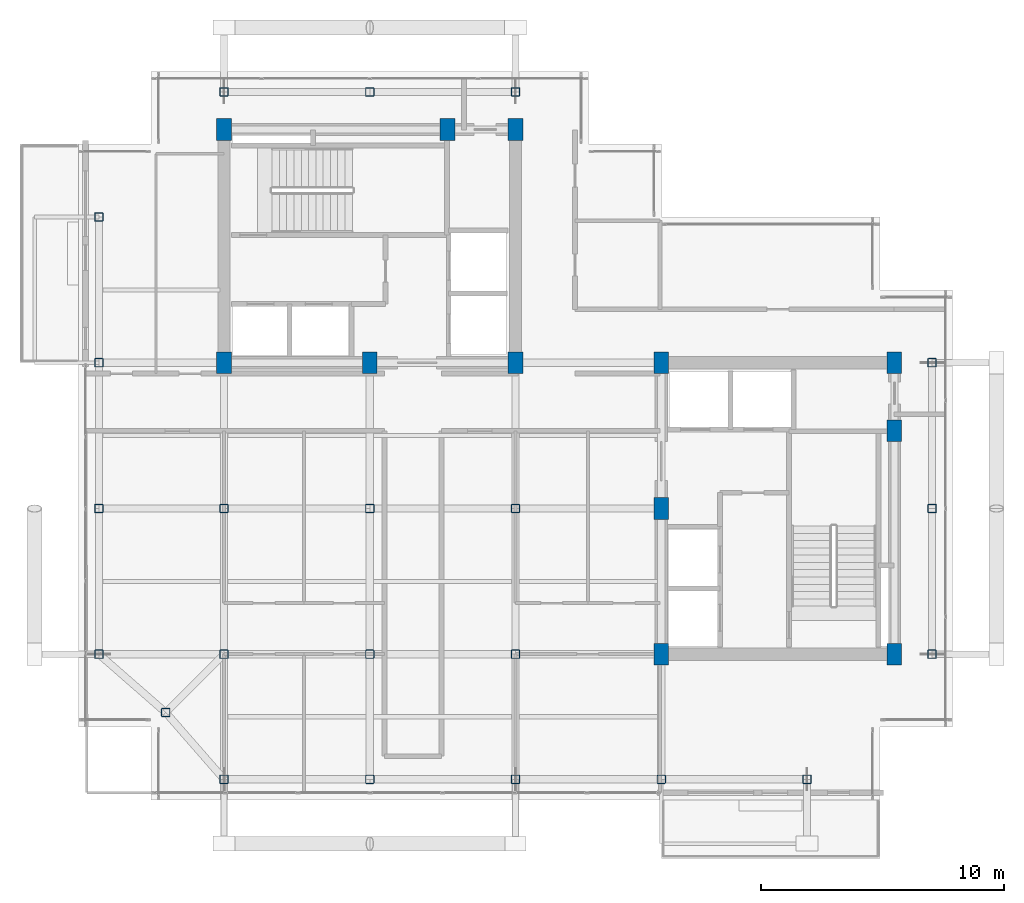
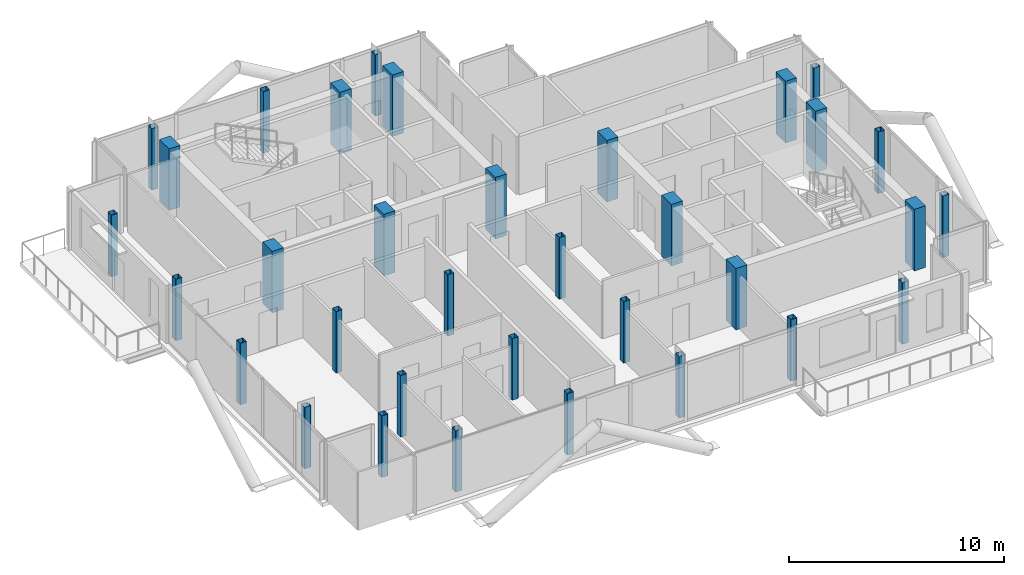
# One storey, part 1 of 19: 34 columns.
"""IFC4 building model written with IfcOpenShell, lengths in metres."""

from ifc_helpers import new_model, si_unit, direction, frame, origin, origin_2d, place, context, subcontext, project, spatial, rectangle, hollow_rectangle, extrude, material, material_profile, profile_set, type_object, element, save


model = new_model("IFC4")

# Units and contexts
model_context = context("Model", 3, precision=1e-05, world=origin(), true_north=direction((0.0, 1.0)))
body_context = subcontext(model_context, "Body", "Model", "MODEL_VIEW")
ifc_project = project(units=[si_unit("LENGTHUNIT", "METRE"), si_unit("AREAUNIT", "SQUARE_METRE"), si_unit("VOLUMEUNIT", "CUBIC_METRE"), si_unit("PLANEANGLEUNIT", "RADIAN"), si_unit("MASSUNIT", "GRAM", prefix="KILO"), si_unit("THERMODYNAMICTEMPERATUREUNIT", "KELVIN"), si_unit("POWERUNIT", "WATT")], contexts=[model_context])

# Site, building, storey
site_placement = place(None, origin())
site = spatial("IfcSite", under=ifc_project, at=site_placement, CompositionType="ELEMENT")
building_placement = place(site_placement, origin())
building = spatial("IfcBuilding", under=site, at=building_placement, Name="Svarakhadi Broadcast Tower", CompositionType="ELEMENT")
storey_placement = place(building_placement, frame((0.0, 0.0, 257.199951171875)))
storey = spatial("IfcBuildingStorey", under=building, at=storey_placement, Name="L64", CompositionType="ELEMENT", Elevation=257.199951171875)

# Columns
ifc_material_1 = material(Name="Concrete C50/60 (IS 456 M60)", Category="concrete")
ifc_material_profile_1 = material_profile(ifc_material_1, rectangle(XDim=0.60009765625, YDim=0.89990234375, at=origin_2d()), Name="RC 600x900")
ifc_profile_set_1 = profile_set([ifc_material_profile_1], Name="Concrete C50/60 (IS 456 M60)")
column_type_1 = type_object("IfcColumnType", Name="Col_RC600", PredefinedType="COLUMN", material=ifc_profile_set_1)
for number, where, z_axis, x_axis, name in (
    (1, (6.0, 18.0, 0.0), (0.0, 0.0, 1.0), (1.0, 0.0, 0.0), "L64 Column CW1"),
    (2, (12.0, 18.0, 0.0), (0.0, 0.0, 1.0), (1.0, 0.0, 0.0), "L64 Column CW2"),
    (3, (18.0, 18.0, 0.0), (0.0, 0.0, 1.0), (1.0, 0.0, 0.0), "L64 Column CW3"),
    (4, (6.0, 27.60009765625, 0.0), (0.0, 0.0, 1.0), (1.0, 0.0, 0.0), "L64 Column CW4"),
    (5, (15.199951171875, 27.60009765625, 0.0), (0.0, 0.0, 1.0), (1.0, 0.0, 0.0), "L64 Column CW5"),
    (6, (18.0, 27.60009765625, 0.0), (0.0, 0.0, 1.0), (1.0, 0.0, 0.0), "L64 Column CW6"),
    (7, (24.0, 6.0, 0.0), (0.0, 0.0, 1.0), (1.0, 0.0, 0.0), "L64 Column CE1"),
    (8, (24.0, 12.0, 0.0), (0.0, 0.0, 1.0), (1.0, 0.0, 0.0), "L64 Column CE2"),
    (9, (24.0, 18.0, 0.0), (0.0, 0.0, 1.0), (1.0, 0.0, 0.0), "L64 Column CE3"),
    (10, (33.60009765625, 6.0, 0.0), (0.0, 0.0, 1.0), (1.0, 0.0, 0.0), "L64 Column CE4"),
    (11, (33.60009765625, 15.199951171875, 0.0), (0.0, 0.0, 1.0), (1.0, 0.0, 0.0), "L64 Column CE5"),
    (12, (33.60009765625, 18.0, 0.0), (0.0, 0.0, 1.0), (1.0, 0.0, 0.0), "L64 Column CE6"),
):
    element("IfcColumn", number, at=place(storey_placement, frame(where, z_axis=z_axis, x_axis=x_axis)), inside=storey, type_object=column_type_1, Name=name, PredefinedType="COLUMN", context=body_context, shape_type="SweptSolid", body=[
        extrude(rectangle(XDim=0.60009765625, YDim=0.89990234375, at=origin_2d()), origin(), (0.0, 0.0, 1.0), 3.5),
    ])
ifc_material_2 = material(Name="Steel S460ML (IS 2062 E450BR)", Category="steel")
ifc_material_profile_2 = material_profile(ifc_material_2, hollow_rectangle(XDim=0.35009765625, YDim=0.35009765625, WallThickness=0.01611328125, InnerFilletRadius=0.01611328125, OuterFilletRadius=0.031982421875, at=origin_2d()), Name="SHS 350x350x16")
ifc_profile_set_2 = profile_set([ifc_material_profile_2], Name="Steel S460ML (IS 2062 E450BR)")
column_type_2 = type_object("IfcColumnType", Name="Col_SHS350", PredefinedType="COLUMN", material=ifc_profile_set_2)
for number, where, z_axis, x_axis, name in (
    (13, (3.60009765625, 3.60009765625, 0.0), (0.0, 0.0, 1.0), (1.0, 0.0, 0.0), "L64 Column G01"),
    (14, (0.85009765625, 6.0, 0.0), (0.0, 0.0, 1.0), (1.0, 0.0, 0.0), "L64 Column G03"),
    (15, (0.85009765625, 12.0, 0.0), (0.0, 0.0, 1.0), (1.0, 0.0, 0.0), "L64 Column G04"),
    (16, (0.85009765625, 18.0, 0.0), (0.0, 0.0, 1.0), (1.0, 0.0, 0.0), "L64 Column G05"),
    (17, (0.85009765625, 24.0, 0.0), (0.0, 0.0, 1.0), (1.0, 0.0, 0.0), "L64 Column G06"),
    (18, (6.0, 0.85009765625, 0.0), (0.0, 0.0, 1.0), (1.0, 0.0, 0.0), "L64 Column G11"),
    (19, (6.0, 6.0, 0.0), (0.0, 0.0, 1.0), (1.0, 0.0, 0.0), "L64 Column G12"),
    (20, (6.0, 12.0, 0.0), (0.0, 0.0, 1.0), (1.0, 0.0, 0.0), "L64 Column G13"),
    (21, (6.0, 29.14990234375, 0.0), (0.0, 0.0, 1.0), (1.0, 0.0, 0.0), "L64 Column G14"),
    (22, (12.0, 0.85009765625, 0.0), (0.0, 0.0, 1.0), (1.0, 0.0, 0.0), "L64 Column G18"),
    (23, (12.0, 6.0, 0.0), (0.0, 0.0, 1.0), (1.0, 0.0, 0.0), "L64 Column G19"),
    (24, (12.0, 12.0, 0.0), (0.0, 0.0, 1.0), (1.0, 0.0, 0.0), "L64 Column G20"),
    (25, (12.0, 29.14990234375, 0.0), (0.0, 0.0, 1.0), (1.0, 0.0, 0.0), "L64 Column G21"),
    (26, (18.0, 0.85009765625, 0.0), (0.0, 0.0, 1.0), (1.0, 0.0, 0.0), "L64 Column G25"),
    (27, (18.0, 6.0, 0.0), (0.0, 0.0, 1.0), (1.0, 0.0, 0.0), "L64 Column G26"),
    (28, (18.0, 12.0, 0.0), (0.0, 0.0, 1.0), (1.0, 0.0, 0.0), "L64 Column G27"),
    (29, (18.0, 29.14990234375, 0.0), (0.0, 0.0, 1.0), (1.0, 0.0, 0.0), "L64 Column G28"),
    (30, (24.0, 0.85009765625, 0.0), (0.0, 0.0, 1.0), (1.0, 0.0, 0.0), "L64 Column G32"),
    (31, (30.0, 0.85009765625, 0.0), (0.0, 0.0, 1.0), (1.0, 0.0, 0.0), "L64 Column G36"),
    (32, (35.14990234375, 6.0, 0.0), (0.0, 0.0, 1.0), (1.0, 0.0, 0.0), "L64 Column G39"),
    (33, (35.14990234375, 12.0, 0.0), (0.0, 0.0, 1.0), (1.0, 0.0, 0.0), "L64 Column G40"),
    (34, (35.14990234375, 18.0, 0.0), (0.0, 0.0, 1.0), (1.0, 0.0, 0.0), "L64 Column G41"),
):
    element("IfcColumn", number, at=place(storey_placement, frame(where, z_axis=z_axis, x_axis=x_axis)), inside=storey, type_object=column_type_2, Name=name, PredefinedType="COLUMN", context=body_context, shape_type="SweptSolid", body=[
        extrude(hollow_rectangle(XDim=0.35009765625, YDim=0.35009765625, WallThickness=0.01611328125, InnerFilletRadius=0.01611328125, OuterFilletRadius=0.031982421875, at=origin_2d()), origin(), (0.0, 0.0, 1.0), 3.5),
    ])

save(model, "model.ifc")
